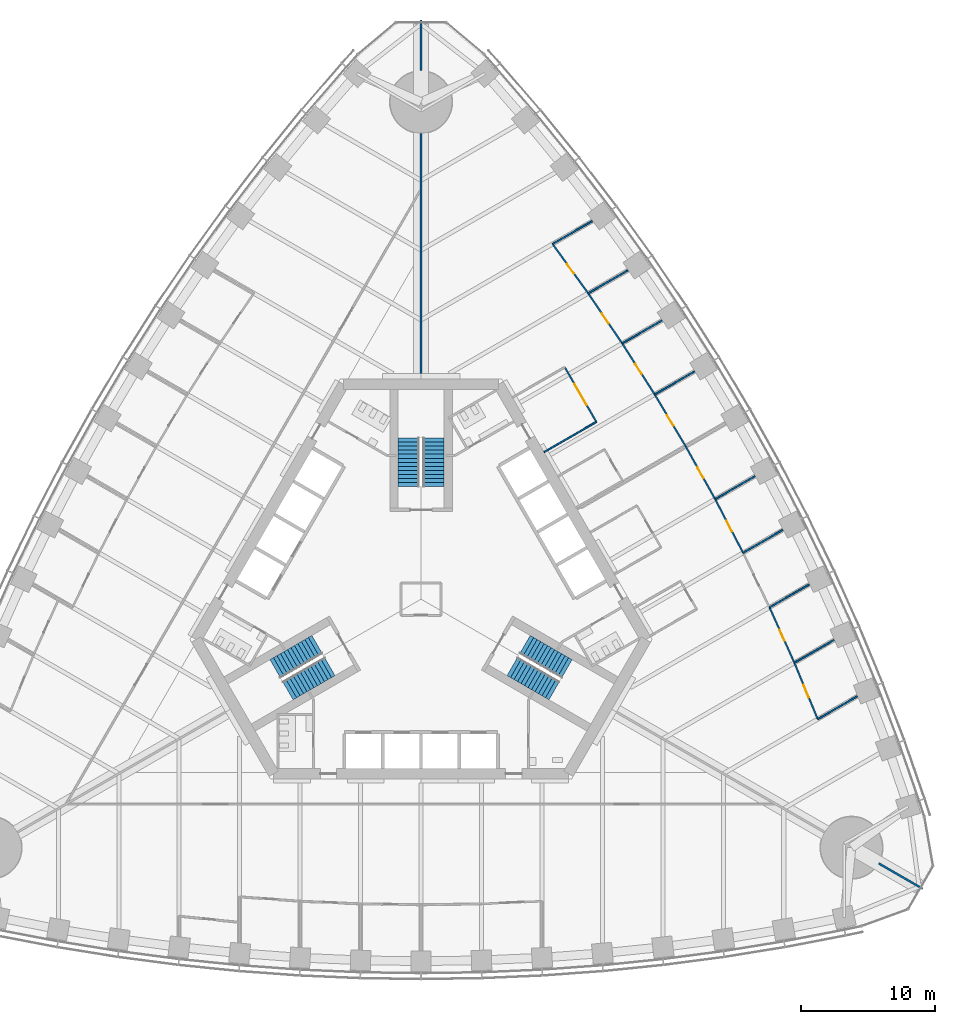
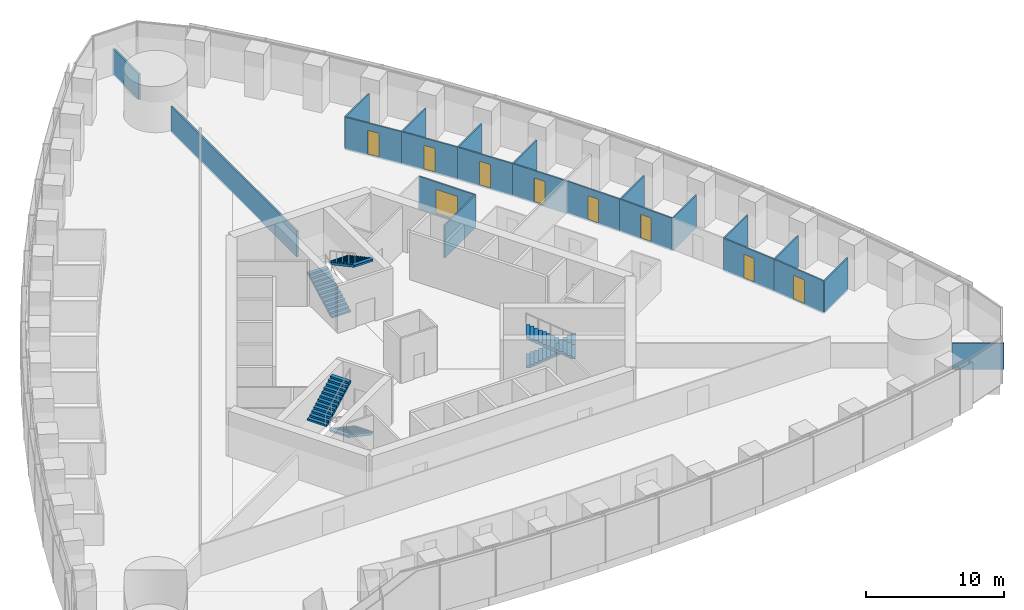
# One storey, part 13 of 18: 22 walls, 9 doors, 6 stair flights, 9 openings, 3 elements without a shape of their own.
"""IFC4 building model written with IfcOpenShell, lengths in metres."""

from ifc_helpers import new_model, si_unit, direction, frame, frame_2d, origin, place, context, subcontext, project, spatial, polyline, rectangle, outline, extrude, material, layer, layer_set, type_object, element, fill, aggregate, save


model = new_model("IFC4")

# Units and contexts
model_context = context("Model", 3, precision=1e-05, world=origin(), true_north=direction((0.0, 1.0)))
body_context = subcontext(model_context, "Body", "Model", "MODEL_VIEW")
ifc_project = project(units=[si_unit("LENGTHUNIT", "METRE"), si_unit("AREAUNIT", "SQUARE_METRE"), si_unit("VOLUMEUNIT", "CUBIC_METRE"), si_unit("PLANEANGLEUNIT", "RADIAN"), si_unit("MASSUNIT", "GRAM", prefix="KILO")], contexts=[model_context])

# Site, building, storey
site_placement = place(None, origin())
site = spatial("IfcSite", under=ifc_project, at=site_placement, CompositionType="ELEMENT")
building_placement = place(site_placement, origin())
building = spatial("IfcBuilding", under=site, at=building_placement, Name="Trefoil Bronze Tower", CompositionType="ELEMENT")
storey_placement = place(building_placement, frame((0.0, 0.0, 54.300048828125)))
storey = spatial("IfcBuildingStorey", under=building, at=storey_placement, Name="L12", CompositionType="ELEMENT", Elevation=54.300048828125)

# Wall, opening, door
ifc_material_1 = material(Name="Glazed partition", Category="glass")
ifc_layer_1 = layer(ifc_material_1, 0.1201171875)
ifc_layer_set_1 = layer_set([ifc_layer_1], Name="Glazed partition 120")
wall_type_1 = type_object("IfcWallType", Name="Glazed partition 120", PredefinedType="PARTITIONING", material=ifc_layer_set_1)
wall_1_placement = place(storey_placement, frame((13.0517578125, 13.193603515625, 0.0), z_axis=(0.0, 0.0, 1.0), x_axis=(-0.499977259774, 0.866038532462, 0.0)))
wall_1 = element("IfcWall", 1, at=wall_1_placement, inside=storey, type_object=wall_type_1, Name="Partition F2 L12", PredefinedType="PARTITIONING", context=body_context, shape_type="SweptSolid", body=[
    extrude(rectangle(XDim=4.699951171875, YDim=0.1201171875, at=frame_2d((2.35009765625, 0.0))), origin(), (0.0, 0.0, 1.0), 2.89990234375),
])
opening_1_placement = place(wall_1_placement, frame((1.449951171875, 0.0, 0.14990234375)))
opening_1 = element("IfcOpeningElement", 2, at=opening_1_placement, cuts=wall_1, Name="Opening D10", PredefinedType="OPENING", context=body_context, shape_type="SweptSolid", body=[
    extrude(rectangle(XDim=1.800048828125, YDim=2.10009765625, at=frame_2d((0.89990234375, 1.050048828125))), frame((0.0, 0.070068359375, 0.0), z_axis=(0.0, -1.0, 0.0), x_axis=(1.0, 0.0, 0.0)), (0.0, 0.0, 1.0), 0.14013671875),
])
ifc_material_2 = material(Name="Timber door", Category="wood")
door_type_1 = type_object("IfcDoorType", Name="Double door 1800", OperationType="DOUBLE_DOOR_SINGLE_SWING", PredefinedType="DOOR", material=ifc_material_2)
door_1_placement = place(opening_1_placement, origin())
door_1 = element("IfcDoor", 3, at=door_1_placement, inside=storey, type_object=door_type_1, Name="Reception door F2 L12", OperationType="DOUBLE_DOOR_SINGLE_SWING", OverallHeight=2.10009765625, OverallWidth=1.800048828125, PredefinedType="DOOR", context=body_context, shape_type="SweptSolid", body=[
    extrude(rectangle(XDim=1.800048828125, YDim=2.10009765625, at=frame_2d((0.89990234375, 1.050048828125))), frame((0.0, 0.02490234375, 0.0), z_axis=(0.0, -1.0, 0.0), x_axis=(1.0, 0.0, 0.0)), (0.0, 0.0, 1.0), 0.050048828125),
])
fill(opening_1, door_1)

# Wall
wall_2_placement = place(storey_placement, frame((9.15478515625, 10.943603515625, 0.0), z_axis=(0.0, 0.0, 1.0), x_axis=(0.866017533419, 0.500013631625, 0.0)))
element("IfcWall", 4, at=wall_2_placement, inside=storey, type_object=wall_type_1, Name="Partition F2 L12", PredefinedType="PARTITIONING", context=body_context, shape_type="SweptSolid", body=[
    extrude(rectangle(XDim=4.499755859375, YDim=0.1201171875, at=frame_2d((2.25, 0.0))), origin(), (0.0, 0.0, 1.0), 2.89990234375),
])

# Wall, opening, door
wall_3_placement = place(storey_placement, frame((19.700927734375, 11.374267578125, 0.0), z_axis=(0.0, 0.0, 1.0), x_axis=(-0.512483962191, 0.858696796604, 0.0)))
wall_3 = element("IfcWall", 5, at=wall_3_placement, inside=storey, type_object=wall_type_1, Name="Partition F2 L12", PredefinedType="PARTITIONING", context=body_context, shape_type="SweptSolid", body=[
    extrude(rectangle(XDim=4.50048828125, YDim=0.1201171875, at=frame_2d((2.250244140625, 0.0))), origin(), (0.0, 0.0, 1.0), 2.89990234375),
])
opening_2_placement = place(wall_3_placement, frame((1.800048828125, 0.0, 0.14990234375)))
opening_2 = element("IfcOpeningElement", 6, at=opening_2_placement, cuts=wall_3, Name="Opening D8", PredefinedType="OPENING", context=body_context, shape_type="SweptSolid", body=[
    extrude(rectangle(XDim=0.89990234375, YDim=2.10009765625, at=frame_2d((0.449951171875, 1.050048828125))), frame((0.0, 0.070068359375, 0.0), z_axis=(0.0, -1.0, 0.0), x_axis=(1.0, 0.0, 0.0)), (0.0, 0.0, 1.0), 0.14013671875),
])
ifc_material_3 = material(Name="Timber door", Category="wood")
door_type_2 = type_object("IfcDoorType", Name="Office door 900", OperationType="SINGLE_SWING_LEFT", PredefinedType="DOOR", material=ifc_material_3)
door_2_placement = place(opening_2_placement, frame((0.89990234375, 0.0, 0.0), z_axis=(0.0, 0.0, 1.0), x_axis=(-1.0, 0.0, 0.0)))
door_2 = element("IfcDoor", 7, at=door_2_placement, inside=storey, type_object=door_type_2, Name="Office door F2 L12", OperationType="SINGLE_SWING_RIGHT", OverallHeight=2.10009765625, OverallWidth=0.89990234375, PredefinedType="DOOR", context=body_context, shape_type="SweptSolid", body=[
    extrude(rectangle(XDim=0.89990234375, YDim=2.10009765625, at=frame_2d((0.449951171875, 1.050048828125))), frame((0.0, 0.02490234375, 0.0), z_axis=(0.0, -1.0, 0.0), x_axis=(1.0, 0.0, 0.0)), (0.0, 0.0, 1.0), 0.050048828125),
])
fill(opening_2, door_2)

wall_4_placement = place(storey_placement, frame((12.441162109375, 22.771240234375, 0.0), z_axis=(0.0, 0.0, 1.0), x_axis=(-0.585376255171, 0.810761765183, 0.0)))
wall_4 = element("IfcWall", 8, at=wall_4_placement, inside=storey, type_object=wall_type_1, Name="Partition F2 L12", PredefinedType="PARTITIONING", context=body_context, shape_type="SweptSolid", body=[
    extrude(rectangle(XDim=4.5234375, YDim=0.1201171875, at=frame_2d((2.26171875, 0.0))), origin(), (0.0, 0.0, 1.0), 2.89990234375),
])
opening_3_placement = place(wall_4_placement, frame((1.800048828125, 0.0, 0.14990234375)))
opening_3 = element("IfcOpeningElement", 9, at=opening_3_placement, cuts=wall_4, Name="Opening D8", PredefinedType="OPENING", context=body_context, shape_type="SweptSolid", body=[
    extrude(rectangle(XDim=0.89990234375, YDim=2.10009765625, at=frame_2d((0.449951171875, 1.050048828125))), frame((0.0, 0.070068359375, 0.0), z_axis=(0.0, -1.0, 0.0), x_axis=(1.0, 0.0, 0.0)), (0.0, 0.0, 1.0), 0.14013671875),
])
door_3_placement = place(opening_3_placement, frame((0.89990234375, 0.0, 0.0), z_axis=(0.0, 0.0, 1.0), x_axis=(-1.0, 0.0, 0.0)))
door_3 = element("IfcDoor", 10, at=door_3_placement, inside=storey, type_object=door_type_2, Name="Office door F2 L12", OperationType="SINGLE_SWING_RIGHT", OverallHeight=2.10009765625, OverallWidth=0.89990234375, PredefinedType="DOOR", context=body_context, shape_type="SweptSolid", body=[
    extrude(rectangle(XDim=0.89990234375, YDim=2.10009765625, at=frame_2d((0.449951171875, 1.050048828125))), frame((0.0, 0.02490234375, 0.0), z_axis=(0.0, -1.0, 0.0), x_axis=(1.0, 0.0, 0.0)), (0.0, 0.0, 1.0), 0.050048828125),
])
fill(opening_3, door_3)

wall_5_placement = place(storey_placement, frame((17.39453125, 15.23876953125, 0.0), z_axis=(0.0, 0.0, 1.0), x_axis=(-0.537243691336, 0.843427066272, 0.0)))
wall_5 = element("IfcWall", 11, at=wall_5_placement, inside=storey, type_object=wall_type_1, Name="Partition F2 L12", PredefinedType="PARTITIONING", context=body_context, shape_type="SweptSolid", body=[
    extrude(rectangle(XDim=4.50439453125, YDim=0.1201171875, at=frame_2d((2.252197265625, 0.0))), origin(), (0.0, 0.0, 1.0), 2.89990234375),
])
opening_4_placement = place(wall_5_placement, frame((1.800048828125, 0.0, 0.14990234375)))
opening_4 = element("IfcOpeningElement", 12, at=opening_4_placement, cuts=wall_5, Name="Opening D8", PredefinedType="OPENING", context=body_context, shape_type="SweptSolid", body=[
    extrude(rectangle(XDim=0.89990234375, YDim=2.10009765625, at=frame_2d((0.449951171875, 1.050048828125))), frame((0.0, 0.070068359375, 0.0), z_axis=(0.0, -1.0, 0.0), x_axis=(1.0, 0.0, 0.0)), (0.0, 0.0, 1.0), 0.14013671875),
])
door_4_placement = place(opening_4_placement, frame((0.89990234375, 0.0, 0.0), z_axis=(0.0, 0.0, 1.0), x_axis=(-1.0, 0.0, 0.0)))
door_4 = element("IfcDoor", 13, at=door_4_placement, inside=storey, type_object=door_type_2, Name="Office door F2 L12", OperationType="SINGLE_SWING_RIGHT", OverallHeight=2.10009765625, OverallWidth=0.89990234375, PredefinedType="DOOR", context=body_context, shape_type="SweptSolid", body=[
    extrude(rectangle(XDim=0.89990234375, YDim=2.10009765625, at=frame_2d((0.449951171875, 1.050048828125))), frame((0.0, 0.02490234375, 0.0), z_axis=(0.0, -1.0, 0.0), x_axis=(1.0, 0.0, 0.0)), (0.0, 0.0, 1.0), 0.050048828125),
])
fill(opening_4, door_4)

wall_6_placement = place(storey_placement, frame((14.974609375, 19.037841796875, 0.0), z_axis=(0.0, 0.0, 1.0), x_axis=(-0.561512004239, 0.827468591002, 0.0)))
wall_6 = element("IfcWall", 14, at=wall_6_placement, inside=storey, type_object=wall_type_1, Name="Partition F2 L12", PredefinedType="PARTITIONING", context=body_context, shape_type="SweptSolid", body=[
    extrude(rectangle(XDim=4.51171875, YDim=0.1201171875, at=frame_2d((2.255859375, 0.0))), origin(), (0.0, 0.0, 1.0), 2.89990234375),
])
opening_5_placement = place(wall_6_placement, frame((1.800048828125, 0.0, 0.14990234375)))
opening_5 = element("IfcOpeningElement", 15, at=opening_5_placement, cuts=wall_6, Name="Opening D8", PredefinedType="OPENING", context=body_context, shape_type="SweptSolid", body=[
    extrude(rectangle(XDim=0.89990234375, YDim=2.10009765625, at=frame_2d((0.449951171875, 1.050048828125))), frame((0.0, 0.070068359375, 0.0), z_axis=(0.0, -1.0, 0.0), x_axis=(1.0, 0.0, 0.0)), (0.0, 0.0, 1.0), 0.14013671875),
])
door_5_placement = place(opening_5_placement, frame((0.89990234375, 0.0, 0.0), z_axis=(0.0, 0.0, 1.0), x_axis=(-1.0, 0.0, 0.0)))
door_5 = element("IfcDoor", 16, at=door_5_placement, inside=storey, type_object=door_type_2, Name="Office door F2 L12", OperationType="SINGLE_SWING_RIGHT", OverallHeight=2.10009765625, OverallWidth=0.89990234375, PredefinedType="DOOR", context=body_context, shape_type="SweptSolid", body=[
    extrude(rectangle(XDim=0.89990234375, YDim=2.10009765625, at=frame_2d((0.449951171875, 1.050048828125))), frame((0.0, 0.02490234375, 0.0), z_axis=(0.0, -1.0, 0.0), x_axis=(1.0, 0.0, 0.0)), (0.0, 0.0, 1.0), 0.050048828125),
])
fill(opening_5, door_5)

wall_7_placement = place(storey_placement, frame((27.793212890625, -4.738037109375, 0.0), z_axis=(0.0, 0.0, 1.0), x_axis=(-0.409451055745, 0.912332084796, 0.0)))
wall_7 = element("IfcWall", 17, at=wall_7_placement, inside=storey, type_object=wall_type_1, Name="Partition F2 L12", PredefinedType="PARTITIONING", context=body_context, shape_type="SweptSolid", body=[
    extrude(rectangle(XDim=4.523193359375, YDim=0.1201171875, at=frame_2d((2.26171875, 0.0))), origin(), (0.0, 0.0, 1.0), 2.89990234375),
])
opening_6_placement = place(wall_7_placement, frame((1.800048828125, 0.0, 0.14990234375)))
opening_6 = element("IfcOpeningElement", 18, at=opening_6_placement, cuts=wall_7, Name="Opening D8", PredefinedType="OPENING", context=body_context, shape_type="SweptSolid", body=[
    extrude(rectangle(XDim=0.89990234375, YDim=2.10009765625, at=frame_2d((0.449951171875, 1.050048828125))), frame((0.0, 0.070068359375, 0.0), z_axis=(0.0, -1.0, 0.0), x_axis=(1.0, 0.0, 0.0)), (0.0, 0.0, 1.0), 0.14013671875),
])
door_6_placement = place(opening_6_placement, frame((0.89990234375, 0.0, 0.0), z_axis=(0.0, 0.0, 1.0), x_axis=(-1.0, 0.0, 0.0)))
door_6 = element("IfcDoor", 19, at=door_6_placement, inside=storey, type_object=door_type_2, Name="Office door F2 L12", OperationType="SINGLE_SWING_RIGHT", OverallHeight=2.10009765625, OverallWidth=0.89990234375, PredefinedType="DOOR", context=body_context, shape_type="SweptSolid", body=[
    extrude(rectangle(XDim=0.89990234375, YDim=2.10009765625, at=frame_2d((0.449951171875, 1.050048828125))), frame((0.0, 0.02490234375, 0.0), z_axis=(0.0, -1.0, 0.0), x_axis=(1.0, 0.0, 0.0)), (0.0, 0.0, 1.0), 0.050048828125),
])
fill(opening_6, door_6)

wall_8_placement = place(storey_placement, frame((29.530029296875, -8.931640625, 0.0), z_axis=(0.0, 0.0, 1.0), x_axis=(-0.382639984525, 0.923897527999, 0.0)))
wall_8 = element("IfcWall", 20, at=wall_8_placement, inside=storey, type_object=wall_type_1, Name="Partition F2 L12", PredefinedType="PARTITIONING", context=body_context, shape_type="SweptSolid", body=[
    extrude(rectangle(XDim=4.5390625, YDim=0.1201171875, at=frame_2d((2.26953125, 0.0))), origin(), (0.0, 0.0, 1.0), 2.89990234375),
])
opening_7_placement = place(wall_8_placement, frame((1.75, 0.0, 0.14990234375)))
opening_7 = element("IfcOpeningElement", 21, at=opening_7_placement, cuts=wall_8, Name="Opening D9", PredefinedType="OPENING", context=body_context, shape_type="SweptSolid", body=[
    extrude(rectangle(XDim=1.0, YDim=2.10009765625, at=frame_2d((0.5, 1.050048828125))), frame((0.0, 0.070068359375, 0.0), z_axis=(0.0, -1.0, 0.0), x_axis=(1.0, 0.0, 0.0)), (0.0, 0.0, 1.0), 0.14013671875),
])
ifc_material_4 = material(Name="Glazed timber door", Category="wood")
door_type_3 = type_object("IfcDoorType", Name="Meeting room door 1000", OperationType="SINGLE_SWING_LEFT", PredefinedType="DOOR", material=ifc_material_4)
door_7_placement = place(opening_7_placement, frame((1.0, 0.0, 0.0), z_axis=(0.0, 0.0, 1.0), x_axis=(-1.0, 0.0, 0.0)))
door_7 = element("IfcDoor", 22, at=door_7_placement, inside=storey, type_object=door_type_3, Name="Meeting room door F2 L12", OperationType="SINGLE_SWING_RIGHT", OverallHeight=2.10009765625, OverallWidth=1.0, PredefinedType="DOOR", context=body_context, shape_type="SweptSolid", body=[
    extrude(rectangle(XDim=1.0, YDim=2.10009765625, at=frame_2d((0.5, 1.050048828125))), frame((0.0, 0.02490234375, 0.0), z_axis=(0.0, -1.0, 0.0), x_axis=(1.0, 0.0, 0.0)), (0.0, 0.0, 1.0), 0.050048828125),
])
fill(opening_7, door_7)

wall_9_placement = place(storey_placement, frame((21.89453125, 7.444580078125, 0.0), z_axis=(0.0, 0.0, 1.0), x_axis=(-0.487415216275, 0.87317031955, 0.0)))
wall_9 = element("IfcWall", 23, at=wall_9_placement, inside=storey, type_object=wall_type_1, Name="Partition F2 L12", PredefinedType="PARTITIONING", context=body_context, shape_type="SweptSolid", body=[
    extrude(rectangle(XDim=4.50048828125, YDim=0.1201171875, at=frame_2d((2.250244140625, 0.0))), origin(), (0.0, 0.0, 1.0), 2.89990234375),
])
opening_8_placement = place(wall_9_placement, frame((1.800048828125, 0.0, 0.14990234375)))
opening_8 = element("IfcOpeningElement", 24, at=opening_8_placement, cuts=wall_9, Name="Opening D8", PredefinedType="OPENING", context=body_context, shape_type="SweptSolid", body=[
    extrude(rectangle(XDim=0.89990234375, YDim=2.10009765625, at=frame_2d((0.449951171875, 1.050048828125))), frame((0.0, 0.070068359375, 0.0), z_axis=(0.0, -1.0, 0.0), x_axis=(1.0, 0.0, 0.0)), (0.0, 0.0, 1.0), 0.14013671875),
])
door_8_placement = place(opening_8_placement, frame((0.89990234375, 0.0, 0.0), z_axis=(0.0, 0.0, 1.0), x_axis=(-1.0, 0.0, 0.0)))
door_8 = element("IfcDoor", 25, at=door_8_placement, inside=storey, type_object=door_type_2, Name="Office door F2 L12", OperationType="SINGLE_SWING_RIGHT", OverallHeight=2.10009765625, OverallWidth=0.89990234375, PredefinedType="DOOR", context=body_context, shape_type="SweptSolid", body=[
    extrude(rectangle(XDim=0.89990234375, YDim=2.10009765625, at=frame_2d((0.449951171875, 1.050048828125))), frame((0.0, 0.02490234375, 0.0), z_axis=(0.0, -1.0, 0.0), x_axis=(1.0, 0.0, 0.0)), (0.0, 0.0, 1.0), 0.050048828125),
])
fill(opening_8, door_8)

wall_10_placement = place(storey_placement, frame((23.974609375, 3.449462890625, 0.0), z_axis=(0.0, 0.0, 1.0), x_axis=(-0.461810056307, 0.886978845235, 0.0)))
wall_10 = element("IfcWall", 26, at=wall_10_placement, inside=storey, type_object=wall_type_1, Name="Partition F2 L12", PredefinedType="PARTITIONING", context=body_context, shape_type="SweptSolid", body=[
    extrude(rectangle(XDim=4.504150390625, YDim=0.1201171875, at=frame_2d((2.251953125, 0.0))), origin(), (0.0, 0.0, 1.0), 2.89990234375),
])
opening_9_placement = place(wall_10_placement, frame((1.800048828125, 0.0, 0.14990234375)))
opening_9 = element("IfcOpeningElement", 27, at=opening_9_placement, cuts=wall_10, Name="Opening D8", PredefinedType="OPENING", context=body_context, shape_type="SweptSolid", body=[
    extrude(rectangle(XDim=0.89990234375, YDim=2.10009765625, at=frame_2d((0.449951171875, 1.050048828125))), frame((0.0, 0.070068359375, 0.0), z_axis=(0.0, -1.0, 0.0), x_axis=(1.0, 0.0, 0.0)), (0.0, 0.0, 1.0), 0.14013671875),
])
door_9_placement = place(opening_9_placement, frame((0.89990234375, 0.0, 0.0), z_axis=(0.0, 0.0, 1.0), x_axis=(-1.0, 0.0, 0.0)))
door_9 = element("IfcDoor", 28, at=door_9_placement, inside=storey, type_object=door_type_2, Name="Office door F2 L12", OperationType="SINGLE_SWING_RIGHT", OverallHeight=2.10009765625, OverallWidth=0.89990234375, PredefinedType="DOOR", context=body_context, shape_type="SweptSolid", body=[
    extrude(rectangle(XDim=0.89990234375, YDim=2.10009765625, at=frame_2d((0.449951171875, 1.050048828125))), frame((0.0, 0.02490234375, 0.0), z_axis=(0.0, -1.0, 0.0), x_axis=(1.0, 0.0, 0.0)), (0.0, 0.0, 1.0), 0.050048828125),
])
fill(opening_9, door_9)

# Walls
wall_11_placement = place(storey_placement, frame((12.441162109375, 22.771240234375, 0.0), z_axis=(0.0, 0.0, 1.0), x_axis=(0.866016478054, 0.500015459501, 0.0)))
element("IfcWall", 29, at=wall_11_placement, inside=storey, type_object=wall_type_1, Name="Partition F2 L12", PredefinedType="PARTITIONING", context=body_context, shape_type="SweptSolid", body=[
    extrude(rectangle(XDim=3.4140625, YDim=0.1201171875, at=frame_2d((1.70703125, 0.0))), origin(), (0.0, 0.0, 1.0), 2.89990234375),
])
wall_12_placement = place(storey_placement, frame((9.793212890625, 26.438720703125, 0.0), z_axis=(0.0, 0.0, 1.0), x_axis=(0.866040105854, 0.499974534403, 0.0)))
element("IfcWall", 30, at=wall_12_placement, inside=storey, type_object=wall_type_1, Name="Partition F2 L12", PredefinedType="PARTITIONING", context=body_context, shape_type="SweptSolid", body=[
    extrude(rectangle(XDim=3.409423828125, YDim=0.1201171875, at=frame_2d((1.70458984375, 0.0))), origin(), (0.0, 0.0, 1.0), 2.89990234375),
])
wall_13_placement = place(storey_placement, frame((17.39453125, 15.23876953125, 0.0), z_axis=(0.0, 0.0, 1.0), x_axis=(0.866015553834, 0.500017060227, 0.0)))
element("IfcWall", 31, at=wall_13_placement, inside=storey, type_object=wall_type_1, Name="Partition F2 L12", PredefinedType="PARTITIONING", context=body_context, shape_type="SweptSolid", body=[
    extrude(rectangle(XDim=3.41943359375, YDim=0.1201171875, at=frame_2d((1.709716796875, 0.0))), origin(), (0.0, 0.0, 1.0), 2.89990234375),
])
wall_14_placement = place(storey_placement, frame((14.974609375, 19.037841796875, 0.0), z_axis=(0.0, 0.0, 1.0), x_axis=(0.866014265796, 0.500019291066, 0.0)))
element("IfcWall", 32, at=wall_14_placement, inside=storey, type_object=wall_type_1, Name="Partition F2 L12", PredefinedType="PARTITIONING", context=body_context, shape_type="SweptSolid", body=[
    extrude(rectangle(XDim=3.417236328125, YDim=0.1201171875, at=frame_2d((1.70849609375, 0.0))), origin(), (0.0, 0.0, 1.0), 2.89990234375),
])
wall_15_placement = place(storey_placement, frame((25.941162109375, -0.611328125, 0.0), z_axis=(0.0, 0.0, 1.0), x_axis=(0.866016478054, 0.500015459501, 0.0)))
element("IfcWall", 33, at=wall_15_placement, inside=storey, type_object=wall_type_1, Name="Partition F2 L12", PredefinedType="PARTITIONING", context=body_context, shape_type="SweptSolid", body=[
    extrude(rectangle(XDim=3.4140625, YDim=0.1201171875, at=frame_2d((1.70703125, 0.0))), origin(), (0.0, 0.0, 1.0), 2.89990234375),
])
wall_16_placement = place(storey_placement, frame((27.793212890625, -4.738037109375, 0.0), z_axis=(0.0, 0.0, 1.0), x_axis=(0.866040105854, 0.499974534403, 0.0)))
element("IfcWall", 34, at=wall_16_placement, inside=storey, type_object=wall_type_1, Name="Partition F2 L12", PredefinedType="PARTITIONING", context=body_context, shape_type="SweptSolid", body=[
    extrude(rectangle(XDim=3.409423828125, YDim=0.1201171875, at=frame_2d((1.70458984375, 0.0))), origin(), (0.0, 0.0, 1.0), 2.89990234375),
])
wall_17_placement = place(storey_placement, frame((29.530029296875, -8.931640625, 0.0), z_axis=(0.0, 0.0, 1.0), x_axis=(0.866018335219, 0.500012242915, 0.0)))
element("IfcWall", 35, at=wall_17_placement, inside=storey, type_object=wall_type_1, Name="Partition F2 L12", PredefinedType="PARTITIONING", context=body_context, shape_type="SweptSolid", body=[
    extrude(rectangle(XDim=3.4033203125, YDim=0.1201171875, at=frame_2d((1.70166015625, 0.0))), origin(), (0.0, 0.0, 1.0), 2.89990234375),
])
wall_18_placement = place(storey_placement, frame((21.89453125, 7.444580078125, 0.0), z_axis=(0.0, 0.0, 1.0), x_axis=(0.866015553834, 0.500017060227, 0.0)))
element("IfcWall", 36, at=wall_18_placement, inside=storey, type_object=wall_type_1, Name="Partition F2 L12", PredefinedType="PARTITIONING", context=body_context, shape_type="SweptSolid", body=[
    extrude(rectangle(XDim=3.41943359375, YDim=0.1201171875, at=frame_2d((1.709716796875, 0.0))), origin(), (0.0, 0.0, 1.0), 2.89990234375),
])
wall_19_placement = place(storey_placement, frame((23.974609375, 3.449462890625, 0.0), z_axis=(0.0, 0.0, 1.0), x_axis=(0.866014265796, 0.500019291066, 0.0)))
element("IfcWall", 37, at=wall_19_placement, inside=storey, type_object=wall_type_1, Name="Partition F2 L12", PredefinedType="PARTITIONING", context=body_context, shape_type="SweptSolid", body=[
    extrude(rectangle(XDim=3.417236328125, YDim=0.1201171875, at=frame_2d((1.70849609375, 0.0))), origin(), (0.0, 0.0, 1.0), 2.89990234375),
])
ifc_material_5 = material(Name="Gypsum board on steel studs", Category="steel")
ifc_layer_2 = layer(ifc_material_5, 0.14990234375)
ifc_layer_set_2 = layer_set([ifc_layer_2], Name="Party wall 150")
wall_type_2 = type_object("IfcWallType", Name="Party wall 150", PredefinedType="PARTITIONING", material=ifc_layer_set_2)
wall_20_placement = place(storey_placement, frame((34.078125, -19.675048828125, 0.0), z_axis=(0.0, 0.0, 1.0), x_axis=(0.866019247219, -0.500010663332, 0.0)))
element("IfcWall", 38, at=wall_20_placement, inside=storey, type_object=wall_type_2, Name="Party wall K1 L12", PredefinedType="PARTITIONING", context=body_context, shape_type="SweptSolid", body=[
    extrude(rectangle(XDim=3.76416015625, YDim=0.14990234375, at=frame_2d((1.882080078125, 0.0))), origin(), (0.0, 0.0, 1.0), 2.300048828125),
])
wall_21_placement = place(storey_placement, frame((0.0, 16.39990234375, 0.0), z_axis=(0.0, 0.0, 1.0), x_axis=(0.0, 1.0, 0.0)))
element("IfcWall", 39, at=wall_21_placement, inside=storey, type_object=wall_type_2, Name="Party wall K2 L12", PredefinedType="PARTITIONING", context=body_context, shape_type="SweptSolid", body=[
    extrude(rectangle(XDim=18.25, YDim=0.14990234375, at=frame_2d((9.125, 0.0))), origin(), (0.0, 0.0, 1.0), 2.300048828125),
])
wall_22_placement = place(storey_placement, frame((0.0, 39.35009765625, 0.0), z_axis=(0.0, 0.0, 1.0), x_axis=(0.0, 1.0, 0.0)))
element("IfcWall", 40, at=wall_22_placement, inside=storey, type_object=wall_type_2, Name="Party wall K2 L12", PredefinedType="PARTITIONING", context=body_context, shape_type="SweptSolid", body=[
    extrude(rectangle(XDim=3.763916015625, YDim=0.14990234375, at=frame_2d((1.8818359375, 0.0))), origin(), (0.0, 0.0, 1.0), 2.300048828125),
])

# Stair, stair flights
ifc_material_6 = material(Name="Precast concrete B80", Category="concrete")
stair_type = type_object("IfcStairType", Name="Exit stair 26 risers", PredefinedType="HALF_TURN_STAIR", material=ifc_material_6)
stair_1_placement = place(storey_placement, origin())
stair_1 = element("IfcStair", 41, at=stair_1_placement, inside=storey, type_object=stair_type, Name="Stair ST1 L12", PredefinedType="HALF_TURN_STAIR")
ifc_material_7 = material(Name="Precast concrete B80", Category="concrete")
stair_flight_type = type_object("IfcStairFlightType", Name="Stair flight 1600", PredefinedType="STRAIGHT", material=ifc_material_7)
stair_flight_1_placement = place(storey_placement, frame((7.728515625, -3.39404296875, 0.0), z_axis=(0.0, 0.0, 1.0), x_axis=(0.866025403784, -0.5, 0.0)))
stair_flight_1 = element("IfcStairFlight", 42, at=stair_flight_1_placement, type_object=stair_flight_type, Name="ST1 flight 1", NumberOfRisers=13, NumberOfTreads=12, PredefinedType="STRAIGHT", RiserHeight=0.161538462, TreadLength=0.3, context=body_context, shape_type="SweptSolid", body=[
    extrude(outline(polyline([(0.0, 0.0), (0.0, 0.16162109375), (0.300048828125, 0.16162109375), (0.300048828125, 0.322998046875), (0.60009765625, 0.322998046875), (0.60009765625, 0.484619140625), (0.89990234375, 0.484619140625), (0.89990234375, 0.646240234375), (1.199951171875, 0.646240234375), (1.199951171875, 0.8076171875), (1.5, 0.8076171875), (1.5, 0.96923828125), (1.800048828125, 0.96923828125), (1.800048828125, 1.130859375), (2.10009765625, 1.130859375), (2.10009765625, 1.292236328125), (2.39990234375, 1.292236328125), (2.39990234375, 1.453857421875), (2.699951171875, 1.453857421875), (2.699951171875, 1.615478515625), (3.0, 1.615478515625), (3.0, 1.77685546875), (3.300048828125, 1.77685546875), (3.300048828125, 1.9384765625), (3.60009765625, 1.9384765625), (3.60009765625, 2.10009765625), (3.60009765625, 1.768310546875), (0.316162109375, 0.0), (0.0, 0.0)])), frame((0.0, 0.800048828125, 0.0), z_axis=(0.0, -1.0, 0.0), x_axis=(1.0, 0.0, 0.0)), (0.0, 0.0, 1.0), 1.60009765625),
])
stair_flight_2_placement = place(storey_placement, frame((9.921142578125, -6.796142578125, 2.099853515625), z_axis=(0.0, 0.0, 1.0), x_axis=(-0.866025403784, 0.5, 0.0)))
stair_flight_2 = element("IfcStairFlight", 43, at=stair_flight_2_placement, type_object=stair_flight_type, Name="ST1 flight 2", NumberOfRisers=13, NumberOfTreads=12, PredefinedType="STRAIGHT", RiserHeight=0.161538462, TreadLength=0.3, context=body_context, shape_type="SweptSolid", body=[
    extrude(outline(polyline([(0.0, 0.0), (0.0, 0.16162109375), (0.300048828125, 0.16162109375), (0.300048828125, 0.322998046875), (0.60009765625, 0.322998046875), (0.60009765625, 0.484619140625), (0.89990234375, 0.484619140625), (0.89990234375, 0.646240234375), (1.199951171875, 0.646240234375), (1.199951171875, 0.8076171875), (1.5, 0.8076171875), (1.5, 0.96923828125), (1.800048828125, 0.96923828125), (1.800048828125, 1.130859375), (2.10009765625, 1.130859375), (2.10009765625, 1.292236328125), (2.39990234375, 1.292236328125), (2.39990234375, 1.453857421875), (2.699951171875, 1.453857421875), (2.699951171875, 1.615478515625), (3.0, 1.615478515625), (3.0, 1.77685546875), (3.300048828125, 1.77685546875), (3.300048828125, 1.9384765625), (3.60009765625, 1.9384765625), (3.60009765625, 2.10009765625), (3.60009765625, 1.768310546875), (0.316162109375, 0.0), (0.0, 0.0)])), frame((0.0, 0.800048828125, 0.0), z_axis=(0.0, -1.0, 0.0), x_axis=(1.0, 0.0, 0.0)), (0.0, 0.0, 1.0), 1.60009765625),
])
aggregate(stair_1, [stair_flight_1, stair_flight_2])

stair_2_placement = place(storey_placement, origin())
stair_2 = element("IfcStair", 44, at=stair_2_placement, inside=storey, type_object=stair_type, Name="Stair ST2 L12", PredefinedType="HALF_TURN_STAIR")
stair_flight_3_placement = place(storey_placement, frame((-0.925048828125, 8.389892578125, 0.0), z_axis=(0.0, 0.0, 1.0), x_axis=(0.0, 1.0, 0.0)))
stair_flight_3 = element("IfcStairFlight", 45, at=stair_flight_3_placement, type_object=stair_flight_type, Name="ST2 flight 1", NumberOfRisers=13, NumberOfTreads=12, PredefinedType="STRAIGHT", RiserHeight=0.161538462, TreadLength=0.3, context=body_context, shape_type="SweptSolid", body=[
    extrude(outline(polyline([(0.0, 0.0), (0.0, 0.16162109375), (0.300048828125, 0.16162109375), (0.300048828125, 0.322998046875), (0.60009765625, 0.322998046875), (0.60009765625, 0.484619140625), (0.89990234375, 0.484619140625), (0.89990234375, 0.646240234375), (1.199951171875, 0.646240234375), (1.199951171875, 0.8076171875), (1.5, 0.8076171875), (1.5, 0.96923828125), (1.800048828125, 0.96923828125), (1.800048828125, 1.130859375), (2.10009765625, 1.130859375), (2.10009765625, 1.292236328125), (2.39990234375, 1.292236328125), (2.39990234375, 1.453857421875), (2.699951171875, 1.453857421875), (2.699951171875, 1.615478515625), (3.0, 1.615478515625), (3.0, 1.77685546875), (3.300048828125, 1.77685546875), (3.300048828125, 1.9384765625), (3.60009765625, 1.9384765625), (3.60009765625, 2.10009765625), (3.60009765625, 1.768310546875), (0.316162109375, 0.0), (0.0, 0.0)])), frame((0.0, 0.800048828125, 0.0), z_axis=(0.0, -1.0, 0.0), x_axis=(1.0, 0.0, 0.0)), (0.0, 0.0, 1.0), 1.60009765625),
])
stair_flight_4_placement = place(storey_placement, frame((0.925048828125, 11.989990234375, 2.099853515625), z_axis=(0.0, 0.0, 1.0), x_axis=(0.0, -1.0, 0.0)))
stair_flight_4 = element("IfcStairFlight", 46, at=stair_flight_4_placement, type_object=stair_flight_type, Name="ST2 flight 2", NumberOfRisers=13, NumberOfTreads=12, PredefinedType="STRAIGHT", RiserHeight=0.161538462, TreadLength=0.3, context=body_context, shape_type="SweptSolid", body=[
    extrude(outline(polyline([(0.0, 0.0), (0.0, 0.16162109375), (0.300048828125, 0.16162109375), (0.300048828125, 0.322998046875), (0.60009765625, 0.322998046875), (0.60009765625, 0.484619140625), (0.89990234375, 0.484619140625), (0.89990234375, 0.646240234375), (1.199951171875, 0.646240234375), (1.199951171875, 0.8076171875), (1.5, 0.8076171875), (1.5, 0.96923828125), (1.800048828125, 0.96923828125), (1.800048828125, 1.130859375), (2.10009765625, 1.130859375), (2.10009765625, 1.292236328125), (2.39990234375, 1.292236328125), (2.39990234375, 1.453857421875), (2.699951171875, 1.453857421875), (2.699951171875, 1.615478515625), (3.0, 1.615478515625), (3.0, 1.77685546875), (3.300048828125, 1.77685546875), (3.300048828125, 1.9384765625), (3.60009765625, 1.9384765625), (3.60009765625, 2.10009765625), (3.60009765625, 1.768310546875), (0.316162109375, 0.0), (0.0, 0.0)])), frame((0.0, 0.800048828125, 0.0), z_axis=(0.0, -1.0, 0.0), x_axis=(1.0, 0.0, 0.0)), (0.0, 0.0, 1.0), 1.60009765625),
])
aggregate(stair_2, [stair_flight_3, stair_flight_4])

stair_3_placement = place(storey_placement, origin())
stair_3 = element("IfcStair", 47, at=stair_3_placement, inside=storey, type_object=stair_type, Name="Stair ST3 L12", PredefinedType="HALF_TURN_STAIR")
stair_flight_5_placement = place(storey_placement, frame((-6.803466796875, -4.99609375, 0.0), z_axis=(0.0, 0.0, 1.0), x_axis=(-0.866025403784, -0.5, 0.0)))
stair_flight_5 = element("IfcStairFlight", 48, at=stair_flight_5_placement, type_object=stair_flight_type, Name="ST3 flight 1", NumberOfRisers=13, NumberOfTreads=12, PredefinedType="STRAIGHT", RiserHeight=0.161538462, TreadLength=0.3, context=body_context, shape_type="SweptSolid", body=[
    extrude(outline(polyline([(0.0, 0.0), (0.0, 0.16162109375), (0.300048828125, 0.16162109375), (0.300048828125, 0.322998046875), (0.60009765625, 0.322998046875), (0.60009765625, 0.484619140625), (0.89990234375, 0.484619140625), (0.89990234375, 0.646240234375), (1.199951171875, 0.646240234375), (1.199951171875, 0.8076171875), (1.5, 0.8076171875), (1.5, 0.96923828125), (1.800048828125, 0.96923828125), (1.800048828125, 1.130859375), (2.10009765625, 1.130859375), (2.10009765625, 1.292236328125), (2.39990234375, 1.292236328125), (2.39990234375, 1.453857421875), (2.699951171875, 1.453857421875), (2.699951171875, 1.615478515625), (3.0, 1.615478515625), (3.0, 1.77685546875), (3.300048828125, 1.77685546875), (3.300048828125, 1.9384765625), (3.60009765625, 1.9384765625), (3.60009765625, 2.10009765625), (3.60009765625, 1.768310546875), (0.316162109375, 0.0), (0.0, 0.0)])), frame((0.0, 0.800048828125, 0.0), z_axis=(0.0, -1.0, 0.0), x_axis=(1.0, 0.0, 0.0)), (0.0, 0.0, 1.0), 1.60009765625),
])
stair_flight_6_placement = place(storey_placement, frame((-10.84619140625, -5.19384765625, 2.099853515625), z_axis=(0.0, 0.0, 1.0), x_axis=(0.866025403784, 0.5, 0.0)))
stair_flight_6 = element("IfcStairFlight", 49, at=stair_flight_6_placement, type_object=stair_flight_type, Name="ST3 flight 2", NumberOfRisers=13, NumberOfTreads=12, PredefinedType="STRAIGHT", RiserHeight=0.161538462, TreadLength=0.3, context=body_context, shape_type="SweptSolid", body=[
    extrude(outline(polyline([(0.0, 0.0), (0.0, 0.16162109375), (0.300048828125, 0.16162109375), (0.300048828125, 0.322998046875), (0.60009765625, 0.322998046875), (0.60009765625, 0.484619140625), (0.89990234375, 0.484619140625), (0.89990234375, 0.646240234375), (1.199951171875, 0.646240234375), (1.199951171875, 0.8076171875), (1.5, 0.8076171875), (1.5, 0.96923828125), (1.800048828125, 0.96923828125), (1.800048828125, 1.130859375), (2.10009765625, 1.130859375), (2.10009765625, 1.292236328125), (2.39990234375, 1.292236328125), (2.39990234375, 1.453857421875), (2.699951171875, 1.453857421875), (2.699951171875, 1.615478515625), (3.0, 1.615478515625), (3.0, 1.77685546875), (3.300048828125, 1.77685546875), (3.300048828125, 1.9384765625), (3.60009765625, 1.9384765625), (3.60009765625, 2.10009765625), (3.60009765625, 1.768310546875), (0.316162109375, 0.0), (0.0, 0.0)])), frame((0.0, 0.800048828125, 0.0), z_axis=(0.0, -1.0, 0.0), x_axis=(1.0, 0.0, 0.0)), (0.0, 0.0, 1.0), 1.60009765625),
])
aggregate(stair_3, [stair_flight_5, stair_flight_6])

save(model, "model.ifc")
